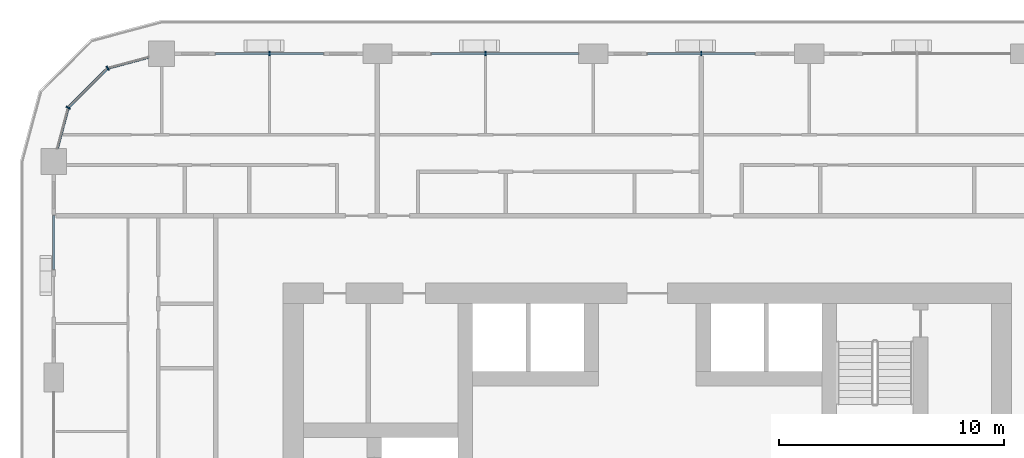
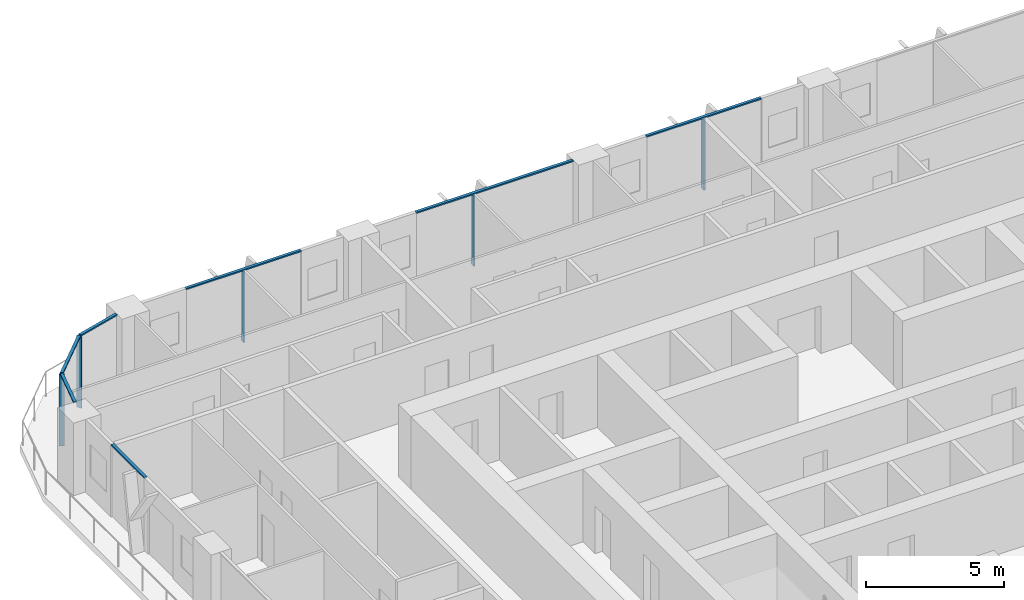
# One storey, part 5 of 22: 12 members, 5 elements without a shape of their own.
"""IFC4 building model written with IfcOpenShell, lengths in metres."""

from ifc_helpers import new_model, si_unit, direction, frame, origin, origin_2d, place, context, subcontext, project, spatial, rectangle, extrude, material, layer, layer_set, material_profile, profile_set, type_object, element, aggregate, save


model = new_model("IFC4")

# Units and contexts
model_context = context("Model", 3, precision=1e-05, world=origin(), true_north=direction((0.0, 1.0)))
body_context = subcontext(model_context, "Body", "Model", "MODEL_VIEW")
ifc_project = project(units=[si_unit("LENGTHUNIT", "METRE"), si_unit("AREAUNIT", "SQUARE_METRE"), si_unit("VOLUMEUNIT", "CUBIC_METRE"), si_unit("PLANEANGLEUNIT", "RADIAN"), si_unit("MASSUNIT", "GRAM", prefix="KILO")], contexts=[model_context])

# Site, building, storey
site_placement = place(None, origin())
site = spatial("IfcSite", under=ifc_project, at=site_placement, CompositionType="ELEMENT")
building_placement = place(site_placement, origin())
building = spatial("IfcBuilding", under=site, at=building_placement, Name="Madar Terraces", CompositionType="ELEMENT")
storey_placement = place(building_placement, frame((0.0, 0.0, 73.300048828125)))
storey = spatial("IfcBuildingStorey", under=building, at=storey_placement, Name="L18", CompositionType="ELEMENT", Elevation=73.300048828125)

# Curtain wall, member
ifc_material_1 = material(Name="Glass, ceramic frit dark grey, with black aluminium frame", Category="aluminium")
ifc_layer = layer(ifc_material_1, 0.199951171875)
ifc_layer_set = layer_set([ifc_layer], Name="Facade curtain wall, fritted glass")
curtain_wall_type = type_object("IfcCurtainWallType", Name="Facade curtain wall, fritted glass", PredefinedType="NOTDEFINED", material=ifc_layer_set)
curtain_wall_1_placement = place(storey_placement, origin())
curtain_wall_1 = element("IfcCurtainWall", 1, at=curtain_wall_1_placement, inside=storey, type_object=curtain_wall_type, Name="Outer skin curtain wall north bay 3", PredefinedType="NOTDEFINED")
ifc_material_2 = material(Name="Aluminium, black anodised", Category="aluminium")
ifc_material_profile_1 = material_profile(ifc_material_2, rectangle(XDim=0.199951171875, YDim=0.06005859375, at=origin_2d()), Name="Facade mullion 60x200")
ifc_profile_set_1 = profile_set([ifc_material_profile_1], Name="Aluminium, black anodised")
member_type_1 = type_object("IfcMemberType", Name="Facade mullion 60x200", PredefinedType="MULLION", material=ifc_profile_set_1)
member_1_placement = place(storey_placement, frame((33.60009765625, 48.0, 0.0), z_axis=(0.0, 0.0, 1.0), x_axis=(0.0, -1.0, 0.0)))
member_1 = element("IfcMember", 2, at=member_1_placement, type_object=member_type_1, Name="Mullion 1", PredefinedType="MULLION", context=body_context, shape_type="SweptSolid", body=[
    extrude(rectangle(XDim=0.199951171875, YDim=0.06005859375, at=origin_2d()), origin(), (0.0, 0.0, 1.0), 3.139892578125),
])

curtain_wall_2_placement = place(storey_placement, origin())
curtain_wall_2 = element("IfcCurtainWall", 3, at=curtain_wall_2_placement, inside=storey, type_object=curtain_wall_type, Name="Outer skin curtain wall north bay 4", PredefinedType="NOTDEFINED")
member_2_placement = place(storey_placement, frame((24.0, 48.0, 0.0), z_axis=(0.0, 0.0, 1.0), x_axis=(0.0, -1.0, 0.0)))
member_2 = element("IfcMember", 4, at=member_2_placement, type_object=member_type_1, Name="Mullion 1", PredefinedType="MULLION", context=body_context, shape_type="SweptSolid", body=[
    extrude(rectangle(XDim=0.199951171875, YDim=0.06005859375, at=origin_2d()), origin(), (0.0, 0.0, 1.0), 3.139892578125),
])

curtain_wall_3_placement = place(storey_placement, origin())
curtain_wall_3 = element("IfcCurtainWall", 5, at=curtain_wall_3_placement, inside=storey, type_object=curtain_wall_type, Name="Outer skin curtain wall north bay 5", PredefinedType="NOTDEFINED")
member_3_placement = place(storey_placement, frame((14.39990234375, 48.0, 0.0), z_axis=(0.0, 0.0, 1.0), x_axis=(0.0, -1.0, 0.0)))
member_3 = element("IfcMember", 6, at=member_3_placement, type_object=member_type_1, Name="Mullion 1", PredefinedType="MULLION", context=body_context, shape_type="SweptSolid", body=[
    extrude(rectangle(XDim=0.199951171875, YDim=0.06005859375, at=origin_2d()), origin(), (0.0, 0.0, 1.0), 3.139892578125),
])

# Curtain wall, members
curtain_wall_4_placement = place(storey_placement, origin())
curtain_wall_4 = element("IfcCurtainWall", 7, at=curtain_wall_4_placement, inside=storey, type_object=curtain_wall_type, Name="Outer skin curtain wall north-west corner", PredefinedType="NOTDEFINED")
member_4_placement = place(storey_placement, frame((7.199951171875, 47.35693359375, 0.0), z_axis=(0.0, 0.0, 1.0), x_axis=(0.499999989586, -0.866025409797, 0.0)))
member_4 = element("IfcMember", 8, at=member_4_placement, type_object=member_type_1, Name="Mullion 1", PredefinedType="MULLION", context=body_context, shape_type="SweptSolid", body=[
    extrude(rectangle(XDim=0.199951171875, YDim=0.06005859375, at=origin_2d()), origin(), (0.0, 0.0, 1.0), 3.139892578125),
])
member_5_placement = place(storey_placement, frame((5.443115234375, 45.60009765625, 0.0), z_axis=(0.0, 0.0, 1.0), x_axis=(0.866025409797, -0.499999989586, 0.0)))
member_5 = element("IfcMember", 9, at=member_5_placement, type_object=member_type_1, Name="Mullion 2", PredefinedType="MULLION", context=body_context, shape_type="SweptSolid", body=[
    extrude(rectangle(XDim=0.199951171875, YDim=0.06005859375, at=origin_2d()), origin(), (0.0, 0.0, 1.0), 3.139892578125),
])

# Member
ifc_material_3 = material(Name="Aluminium, black anodised", Category="aluminium")
ifc_material_profile_2 = material_profile(ifc_material_3, rectangle(XDim=0.1201171875, YDim=0.06005859375, at=origin_2d()), Name="Facade transom 60x120")
ifc_profile_set_2 = profile_set([ifc_material_profile_2], Name="Aluminium, black anodised")
member_type_2 = type_object("IfcMemberType", Name="Facade transom 60x120", PredefinedType="USERDEFINED", material=ifc_profile_set_2)
member_6_placement = place(storey_placement, frame((36.0, 48.0, 3.169921875), z_axis=(-1.0, 0.0, 0.0), x_axis=(0.0, -1.0, 0.0)))
member_6 = element("IfcMember", 10, at=member_6_placement, type_object=member_type_2, Name="Transom 1", ObjectType="TRANSOM", PredefinedType="USERDEFINED", context=body_context, shape_type="SweptSolid", body=[
    extrude(rectangle(XDim=0.1201171875, YDim=0.06005859375, at=origin_2d()), origin(), (0.0, 0.0, 1.0), 4.800048828125),
])

aggregate(curtain_wall_1, [member_1, member_6])

member_7_placement = place(storey_placement, frame((28.14990234375, 48.0, 3.169921875), z_axis=(-1.0, 0.0, 0.0), x_axis=(0.0, -1.0, 0.0)))
member_7 = element("IfcMember", 11, at=member_7_placement, type_object=member_type_2, Name="Transom 1", ObjectType="TRANSOM", PredefinedType="USERDEFINED", context=body_context, shape_type="SweptSolid", body=[
    extrude(rectangle(XDim=0.1201171875, YDim=0.06005859375, at=origin_2d()), origin(), (0.0, 0.0, 1.0), 6.5498046875),
])

aggregate(curtain_wall_2, [member_2, member_7])

member_8_placement = place(storey_placement, frame((16.800048828125, 48.0, 3.169921875), z_axis=(-1.0, 0.0, 0.0), x_axis=(0.0, -1.0, 0.0)))
member_8 = element("IfcMember", 12, at=member_8_placement, type_object=member_type_2, Name="Transom 1", ObjectType="TRANSOM", PredefinedType="USERDEFINED", context=body_context, shape_type="SweptSolid", body=[
    extrude(rectangle(XDim=0.1201171875, YDim=0.06005859375, at=origin_2d()), origin(), (0.0, 0.0, 1.0), 4.800048828125),
])

aggregate(curtain_wall_3, [member_3, member_8])

# Curtain wall, member
curtain_wall_5_placement = place(storey_placement, origin())
curtain_wall_5 = element("IfcCurtainWall", 13, at=curtain_wall_5_placement, inside=storey, type_object=curtain_wall_type, Name="Outer skin curtain wall west bay 1", PredefinedType="NOTDEFINED")
member_9_placement = place(storey_placement, frame((4.800048828125, 40.800048828125, 3.169921875), z_axis=(0.0, -1.0, 0.0), x_axis=(1.0, 0.0, 0.0)))
member_9 = element("IfcMember", 14, at=member_9_placement, type_object=member_type_2, Name="Transom 1", ObjectType="TRANSOM", PredefinedType="USERDEFINED", context=body_context, shape_type="SweptSolid", body=[
    extrude(rectangle(XDim=0.1201171875, YDim=0.06005859375, at=origin_2d()), origin(), (0.0, 0.0, 1.0), 2.400146484375),
])
aggregate(curtain_wall_5, [member_9])

# Member
member_10_placement = place(storey_placement, frame((9.02490234375, 47.845947265625, 3.169921875), z_axis=(-0.965926950947, -0.258814847786, 0.0), x_axis=(0.258814847786, -0.965926950947, 0.0)))
member_10 = element("IfcMember", 15, at=member_10_placement, type_object=member_type_2, Name="Transom 1", ObjectType="TRANSOM", PredefinedType="USERDEFINED", context=body_context, shape_type="SweptSolid", body=[
    extrude(rectangle(XDim=0.1201171875, YDim=0.06005859375, at=origin_2d()), origin(), (0.0, 0.0, 1.0), 1.859130859375),
])

member_11_placement = place(storey_placement, frame((7.1787109375, 47.335693359375, 3.169921875), z_axis=(-0.707056433593, -0.707157125196, 0.0), x_axis=(0.707157125196, -0.707056433593, 0.0)))
member_11 = element("IfcMember", 16, at=member_11_placement, type_object=member_type_2, Name="Transom 2", ObjectType="TRANSOM", PredefinedType="USERDEFINED", context=body_context, shape_type="SweptSolid", body=[
    extrude(rectangle(XDim=0.1201171875, YDim=0.06005859375, at=origin_2d()), origin(), (0.0, 0.0, 1.0), 2.424560546875),
])

member_12_placement = place(storey_placement, frame((5.435302734375, 45.571044921875, 3.169921875), z_axis=(-0.258782024434, -0.965935745187, 0.0), x_axis=(0.965935745187, -0.258782024434, 0.0)))
member_12 = element("IfcMember", 17, at=member_12_placement, type_object=member_type_2, Name="Transom 3", ObjectType="TRANSOM", PredefinedType="USERDEFINED", context=body_context, shape_type="SweptSolid", body=[
    extrude(rectangle(XDim=0.1201171875, YDim=0.06005859375, at=origin_2d()), origin(), (0.0, 0.0, 1.0), 1.859375),
])

aggregate(curtain_wall_4, [member_4, member_10, member_5, member_11, member_12])

save(model, "model.ifc")
